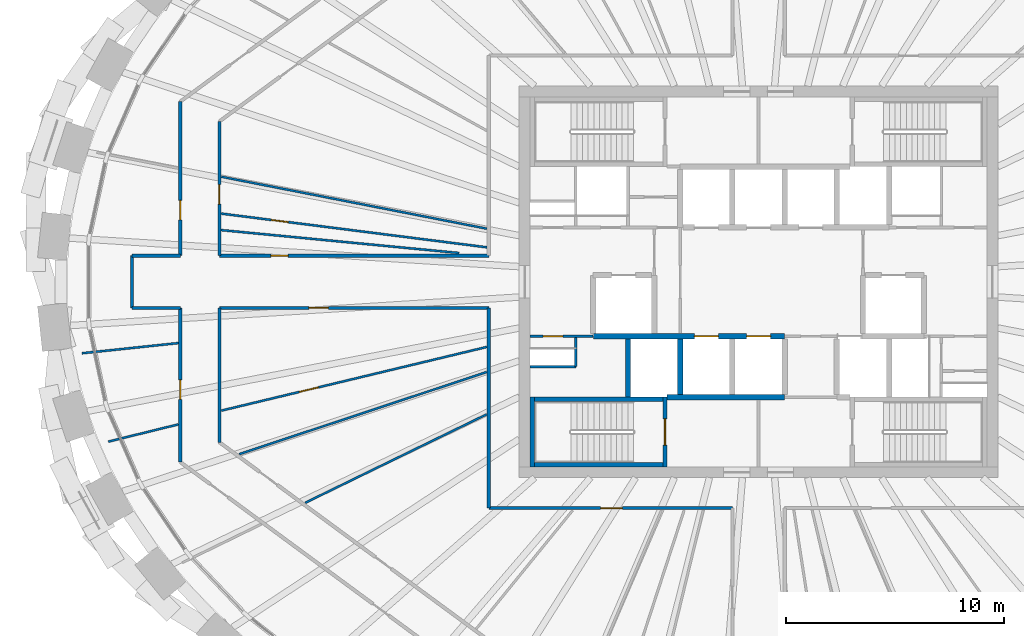
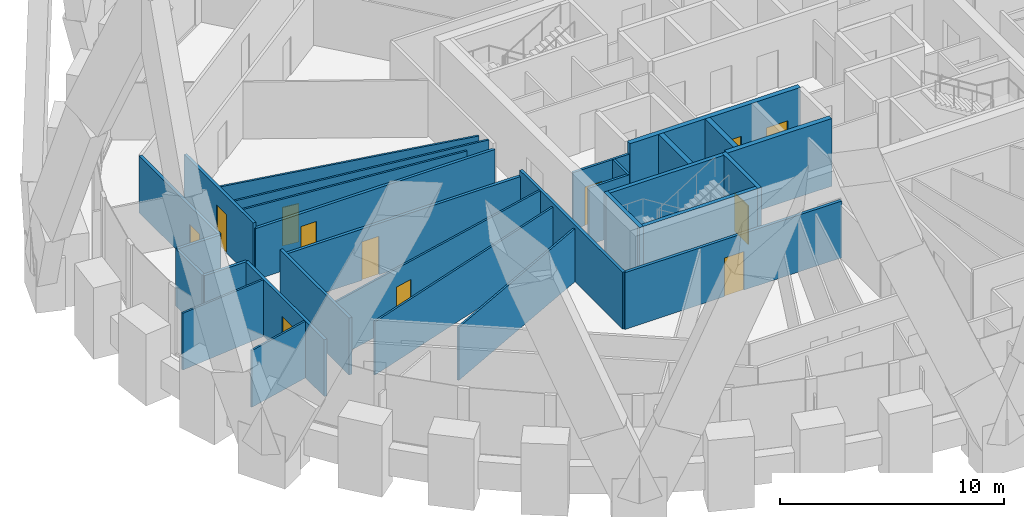
# One storey, part 8 of 15: 30 walls, 12 doors, 12 openings.
"""IFC4 building model written with IfcOpenShell, lengths in metres."""

from ifc_helpers import new_model, si_unit, direction, frame, frame_2d, origin, place, context, subcontext, project, spatial, rectangle, extrude, source, transform, mapped, material, layer, layer_set, type_object, element, fill, save


model = new_model("IFC4")

# Units and contexts
model_context = context("Model", 3, precision=1e-05, world=origin(), true_north=direction((0.0, 1.0)))
body_context = subcontext(model_context, "Body", "Model", "MODEL_VIEW")
ifc_project = project(units=[si_unit("LENGTHUNIT", "METRE"), si_unit("AREAUNIT", "SQUARE_METRE"), si_unit("VOLUMEUNIT", "CUBIC_METRE"), si_unit("PLANEANGLEUNIT", "RADIAN"), si_unit("MASSUNIT", "GRAM", prefix="KILO")], contexts=[model_context])

# Site, building, storey
site_placement = place(None, origin())
site = spatial("IfcSite", under=ifc_project, at=site_placement, CompositionType="ELEMENT")
building_placement = place(site_placement, origin())
building = spatial("IfcBuilding", under=site, at=building_placement, Name="Embergate Tower", CompositionType="ELEMENT")
storey_placement = place(building_placement, frame((0.0, 0.0, 277.300048828125)))
storey = spatial("IfcBuildingStorey", under=building, at=storey_placement, Name="L64", CompositionType="ELEMENT", Elevation=277.300048828125)

# Walls
ifc_material_1 = material(Name="Concrete C50", Category="concrete")
ifc_layer_1 = layer(ifc_material_1, 0.199951171875)
ifc_layer_set_1 = layer_set([ifc_layer_1], Name="Concrete C50")
wall_type_1 = type_object("IfcWallType", Name="Stair enclosure wall reinforced concrete 250", PredefinedType="SHEAR", material=ifc_layer_set_1)
shared_shape_1 = source(origin(), body_context, "Body", "SweptSolid", [
    extrude(rectangle(XDim=6.300048828125, YDim=0.199951171875, at=frame_2d((3.14990234375, 0.0))), origin(), (0.0, 0.0, 1.0), 3.699951171875),
])
wall_1_placement = place(storey_placement, frame((-10.5, -5.39990234375, 0.0), z_axis=(0.0, 0.0, 1.0), x_axis=(1.0, 0.0, 0.0)))
element("IfcWall", 1, at=wall_1_placement, inside=storey, type_object=wall_type_1, Name="SE-1 wall", PredefinedType="SHEAR", context=body_context, shape_type="MappedRepresentation", body=[
    mapped(shared_shape_1, transform((0.0, 0.0, 0.0))),
])
ifc_layer_2 = layer(ifc_material_1, 0.25)
ifc_layer_set_2 = layer_set([ifc_layer_2], Name="Concrete C50")
wall_type_2 = type_object("IfcWallType", Name="Hoistway wall reinforced concrete 250", PredefinedType="SHEAR", material=ifc_layer_set_2)
shared_shape_2 = source(origin(), body_context, "Body", "SweptSolid", [
    extrude(rectangle(XDim=2.550048828125, YDim=0.25, at=frame_2d((1.27490234375, 0.0))), origin(), (0.0, 0.0, 1.0), 3.699951171875),
])
wall_2_placement = place(storey_placement, frame((-3.60009765625, -5.175048828125, 0.0), z_axis=(0.0, 0.0, 1.0), x_axis=(0.0, 1.0, 0.0)))
element("IfcWall", 2, at=wall_2_placement, inside=storey, type_object=wall_type_2, Name="HW-1 wall", PredefinedType="SHEAR", context=body_context, shape_type="MappedRepresentation", body=[
    mapped(shared_shape_2, transform((0.0, 0.0, 0.0))),
])

# Wall, opening, door
shared_shape_3 = source(origin(), body_context, "Body", "SweptSolid", [
    extrude(rectangle(XDim=3.199951171875, YDim=0.199951171875, at=frame_2d((1.60009765625, 0.0))), origin(), (0.0, 0.0, 1.0), 3.699951171875),
])
wall_3_placement = place(storey_placement, frame((-4.300048828125, -8.5, 0.0), z_axis=(0.0, 0.0, 1.0), x_axis=(0.0, 1.0, 0.0)))
wall_3 = element("IfcWall", 3, at=wall_3_placement, inside=storey, type_object=wall_type_1, Name="SE-1 wall", PredefinedType="SHEAR", context=body_context, shape_type="MappedRepresentation", body=[
    mapped(shared_shape_3, transform((0.0, 0.0, 0.0))),
])
shared_shape_4 = source(origin(), body_context, "Body", "SweptSolid", [
    extrude(rectangle(XDim=1.199951171875, YDim=2.10009765625, at=frame_2d((0.60009765625, 1.050048828125))), frame((0.0, 0.10986328125, 0.0), z_axis=(0.0, -1.0, 0.0), x_axis=(1.0, 0.0, 0.0)), (0.0, 0.0, 1.0), 0.219970703125),
])
opening_1_placement = place(wall_3_placement, frame((1.0, 0.0, 0.0)))
opening_1 = element("IfcOpeningElement", 4, at=opening_1_placement, cuts=wall_3, Name="Opening IF-2", PredefinedType="OPENING", context=body_context, shape_type="MappedRepresentation", body=[
    mapped(shared_shape_4, transform((0.0, 0.0, 0.0))),
])
ifc_material_2 = material(Name="Stair enclosure door 1200")
door_type_1 = type_object("IfcDoorType", Name="Stair enclosure door 1200", OperationType="SINGLE_SWING_LEFT", PredefinedType="DOOR", material=ifc_material_2)
shared_shape_5 = source(origin(), body_context, "Body", "SweptSolid", [
    extrude(rectangle(XDim=1.199951171875, YDim=2.10009765625, at=frame_2d((0.60009765625, 1.050048828125))), frame((0.0, 0.02490234375, 0.0), z_axis=(0.0, -1.0, 0.0), x_axis=(1.0, 0.0, 0.0)), (0.0, 0.0, 1.0), 0.050048828125),
])
door_1_placement = place(opening_1_placement, origin())
door_1 = element("IfcDoor", 5, at=door_1_placement, inside=storey, type_object=door_type_1, Name="IF-2 door", OperationType="SINGLE_SWING_LEFT", OverallHeight=2.10009765625, OverallWidth=1.199951171875, PredefinedType="DOOR", context=body_context, shape_type="MappedRepresentation", body=[
    mapped(shared_shape_5, transform((0.0, 0.0, 0.0))),
])
fill(opening_1, door_1)

# Walls
wall_4_placement = place(storey_placement, frame((-10.39990234375, -5.300048828125, 0.0), z_axis=(0.0, 0.0, 1.0), x_axis=(0.0, -1.0, 0.0)))
element("IfcWall", 6, at=wall_4_placement, inside=storey, type_object=wall_type_1, Name="SE-1 wall", PredefinedType="SHEAR", context=body_context, shape_type="MappedRepresentation", body=[
    mapped(shared_shape_3, transform((0.0, 0.0, 0.0))),
])
shared_shape_6 = source(origin(), body_context, "Body", "SweptSolid", [
    extrude(rectangle(XDim=2.671142578125, YDim=0.25, at=frame_2d((1.33544921875, 0.0))), origin(), (0.0, 0.0, 1.0), 3.699951171875),
])
wall_5_placement = place(storey_placement, frame((-6.0, -2.626953125, 0.0), z_axis=(0.0, 0.0, 1.0), x_axis=(0.0, -1.0, 0.0)))
element("IfcWall", 7, at=wall_5_placement, inside=storey, type_object=wall_type_2, Name="HW-1 wall", PredefinedType="SHEAR", context=body_context, shape_type="MappedRepresentation", body=[
    mapped(shared_shape_6, transform((0.0, 0.0, 0.0))),
])
ifc_material_3 = material(Name="Corridor wall dry-lined 150")
ifc_layer_3 = layer(ifc_material_3, 0.14990234375)
ifc_layer_set_3 = layer_set([ifc_layer_3], Name="Corridor wall dry-lined 150")
wall_type_3 = type_object("IfcWallType", Name="Corridor wall dry-lined 150", PredefinedType="PARTITIONING", material=ifc_layer_set_3)
shared_shape_7 = source(origin(), body_context, "Body", "SweptSolid", [
    extrude(rectangle(XDim=2.39990234375, YDim=0.14990234375, at=frame_2d((1.199951171875, 0.0))), origin(), (0.0, 0.0, 1.0), 3.099853515625),
])
wall_6_placement = place(storey_placement, frame((-28.797119140625, -1.199951171875, 0.0), z_axis=(0.0, 0.0, 1.0), x_axis=(0.0, 1.0, 0.0)))
element("IfcWall", 8, at=wall_6_placement, inside=storey, type_object=wall_type_3, Name="IP-2 wall", PredefinedType="PARTITIONING", context=body_context, shape_type="MappedRepresentation", body=[
    mapped(shared_shape_7, transform((0.0, 0.0, 0.0))),
])
shared_shape_8 = source(origin(), body_context, "Body", "SweptSolid", [
    extrude(rectangle(XDim=9.199951171875, YDim=0.14990234375, at=frame_2d((4.60009765625, 0.0))), origin(), (0.0, 0.0, 1.0), 3.099853515625),
])
wall_7_placement = place(storey_placement, frame((-12.39990234375, -1.199951171875, 0.0), z_axis=(0.0, 0.0, 1.0), x_axis=(0.0, -1.0, 0.0)))
element("IfcWall", 9, at=wall_7_placement, inside=storey, type_object=wall_type_3, Name="IP-2 wall", PredefinedType="PARTITIONING", context=body_context, shape_type="MappedRepresentation", body=[
    mapped(shared_shape_8, transform((0.0, 0.0, 0.0))),
])

# Wall, opening, door
shared_shape_9 = source(origin(), body_context, "Body", "SweptSolid", [
    extrude(rectangle(XDim=11.199951171875, YDim=0.14990234375, at=frame_2d((5.60009765625, 0.0))), origin(), (0.0, 0.0, 1.0), 3.099853515625),
])
wall_8_placement = place(storey_placement, frame((-12.39990234375, -10.39990234375, 0.0), z_axis=(0.0, 0.0, 1.0), x_axis=(1.0, 0.0, 0.0)))
wall_8 = element("IfcWall", 10, at=wall_8_placement, inside=storey, type_object=wall_type_3, Name="IP-2 wall", PredefinedType="PARTITIONING", context=body_context, shape_type="MappedRepresentation", body=[
    mapped(shared_shape_9, transform((0.0, 0.0, 0.0))),
])
shared_shape_10 = source(origin(), body_context, "Body", "SweptSolid", [
    extrude(rectangle(XDim=1.0, YDim=2.10009765625, at=frame_2d((0.5, 1.050048828125))), frame((0.0, 0.0849609375, 0.0), z_axis=(0.0, -1.0, 0.0), x_axis=(1.0, 0.0, 0.0)), (0.0, 0.0, 1.0), 0.169921875),
])
opening_2_placement = place(wall_8_placement, frame((5.139892578125, 0.0, 0.0)))
opening_2 = element("IfcOpeningElement", 11, at=opening_2_placement, cuts=wall_8, Name="Opening ID-2", PredefinedType="OPENING", context=body_context, shape_type="MappedRepresentation", body=[
    mapped(shared_shape_10, transform((0.0, 0.0, 0.0))),
])
ifc_material_4 = material(Name="Interior door 1000")
door_type_2 = type_object("IfcDoorType", Name="Interior door 1000", OperationType="SINGLE_SWING_LEFT", PredefinedType="DOOR", material=ifc_material_4)
shared_shape_11 = source(origin(), body_context, "Body", "SweptSolid", [
    extrude(rectangle(XDim=1.0, YDim=2.10009765625, at=frame_2d((0.5, 1.050048828125))), frame((0.0, 0.02490234375, 0.0), z_axis=(0.0, -1.0, 0.0), x_axis=(1.0, 0.0, 0.0)), (0.0, 0.0, 1.0), 0.050048828125),
])
door_2_placement = place(opening_2_placement, origin())
door_2 = element("IfcDoor", 12, at=door_2_placement, inside=storey, type_object=door_type_2, Name="ID-2 door", OperationType="SINGLE_SWING_RIGHT", OverallHeight=2.10009765625, OverallWidth=1.0, PredefinedType="DOOR", context=body_context, shape_type="MappedRepresentation", body=[
    mapped(shared_shape_11, transform((0.0, 0.0, 0.0))),
])
fill(opening_2, door_2)

# Walls
shared_shape_12 = source(origin(), body_context, "Body", "SweptSolid", [
    extrude(rectangle(XDim=5.39990234375, YDim=0.25, at=frame_2d((2.699951171875, 0.0))), origin(), (0.0, 0.0, 1.0), 3.699951171875),
])
wall_9_placement = place(storey_placement, frame((-4.199951171875, -5.300048828125, 0.0), z_axis=(0.0, 0.0, 1.0), x_axis=(1.0, 0.0, 0.0)))
element("IfcWall", 13, at=wall_9_placement, inside=storey, type_object=wall_type_2, Name="HW-1 wall", PredefinedType="SHEAR", context=body_context, shape_type="MappedRepresentation", body=[
    mapped(shared_shape_12, transform((0.0, 0.0, 0.0))),
])
shared_shape_13 = source(origin(), body_context, "Body", "SweptSolid", [
    extrude(rectangle(XDim=6.298095703125, YDim=0.199951171875, at=frame_2d((3.14892578125, 0.0))), origin(), (0.0, 0.0, 1.0), 3.699951171875),
])
wall_10_placement = place(storey_placement, frame((-10.5, -8.39990234375, 0.0), z_axis=(0.0, 0.0, 1.0), x_axis=(1.0, 0.0, 0.0)))
element("IfcWall", 14, at=wall_10_placement, inside=storey, type_object=wall_type_1, Name="SE-1 wall", PredefinedType="SHEAR", context=body_context, shape_type="MappedRepresentation", body=[
    mapped(shared_shape_13, transform((0.0, 0.0, 0.0))),
])

# Wall, opening, door
shared_shape_14 = source(origin(), body_context, "Body", "SweptSolid", [
    extrude(rectangle(XDim=12.381103515625, YDim=0.14990234375, at=frame_2d((6.1904296875, 0.0))), origin(), (0.0, 0.0, 1.0), 2.800048828125),
])
wall_11_placement = place(storey_placement, frame((-12.39990234375, -1.199951171875, 0.0), z_axis=(0.0, 0.0, 1.0), x_axis=(-1.0, 0.0, 0.0)))
wall_11 = element("IfcWall", 15, at=wall_11_placement, inside=storey, type_object=wall_type_3, Name="IP-2 wall", PredefinedType="PARTITIONING", context=body_context, shape_type="MappedRepresentation", body=[
    mapped(shared_shape_14, transform((0.0, 0.0, 0.0))),
])
shared_shape_15 = source(origin(), body_context, "Body", "SweptSolid", [
    extrude(rectangle(XDim=0.89990234375, YDim=2.10009765625, at=frame_2d((0.449951171875, 1.050048828125))), frame((0.0, 0.0849609375, 0.0), z_axis=(0.0, -1.0, 0.0), x_axis=(1.0, 0.0, 0.0)), (0.0, 0.0, 1.0), 0.169921875),
])
opening_3_placement = place(wall_11_placement, frame((7.373046875, 0.0, 0.0)))
opening_3 = element("IfcOpeningElement", 16, at=opening_3_placement, cuts=wall_11, Name="Opening IF-1c", PredefinedType="OPENING", context=body_context, shape_type="MappedRepresentation", body=[
    mapped(shared_shape_15, transform((0.0, 0.0, 0.0))),
])
ifc_material_5 = material(Name="Escape fire door 900")
door_type_3 = type_object("IfcDoorType", Name="Escape fire door 900", OperationType="SINGLE_SWING_LEFT", PredefinedType="DOOR", material=ifc_material_5)
shared_shape_16 = source(origin(), body_context, "Body", "SweptSolid", [
    extrude(rectangle(XDim=0.89990234375, YDim=2.10009765625, at=frame_2d((0.449951171875, 1.050048828125))), frame((0.0, 0.02490234375, 0.0), z_axis=(0.0, -1.0, 0.0), x_axis=(1.0, 0.0, 0.0)), (0.0, 0.0, 1.0), 0.050048828125),
])
door_3_placement = place(opening_3_placement, origin())
door_3 = element("IfcDoor", 17, at=door_3_placement, inside=storey, type_object=door_type_3, Name="IF-1 door", OperationType="SINGLE_SWING_LEFT", OverallHeight=2.10009765625, OverallWidth=0.89990234375, PredefinedType="DOOR", context=body_context, shape_type="MappedRepresentation", body=[
    mapped(shared_shape_16, transform((0.0, 0.0, 0.0))),
])
fill(opening_3, door_3)

wall_12_placement = place(storey_placement, frame((-12.39990234375, 1.199951171875, 0.0), z_axis=(0.0, 0.0, 1.0), x_axis=(-1.0, 0.0, 0.0)))
wall_12 = element("IfcWall", 18, at=wall_12_placement, inside=storey, type_object=wall_type_3, Name="IP-2 wall", PredefinedType="PARTITIONING", context=body_context, shape_type="MappedRepresentation", body=[
    mapped(shared_shape_14, transform((0.0, 0.0, 0.0))),
])
shared_shape_17 = source(origin(), body_context, "Body", "SweptSolid", [
    extrude(rectangle(XDim=0.800048828125, YDim=2.10009765625, at=frame_2d((0.39990234375, 1.050048828125))), frame((0.0, 0.0849609375, 0.0), z_axis=(0.0, -1.0, 0.0), x_axis=(1.0, 0.0, 0.0)), (0.0, 0.0, 1.0), 0.169921875),
])
opening_4_placement = place(wall_12_placement, frame((9.218017578125, 0.0, 0.0)))
opening_4 = element("IfcOpeningElement", 19, at=opening_4_placement, cuts=wall_12, Name="Opening IF-1a", PredefinedType="OPENING", context=body_context, shape_type="MappedRepresentation", body=[
    mapped(shared_shape_17, transform((0.0, 0.0, 0.0))),
])
ifc_material_6 = material(Name="Escape fire door 800")
door_type_4 = type_object("IfcDoorType", Name="Escape fire door 800", OperationType="SINGLE_SWING_LEFT", PredefinedType="DOOR", material=ifc_material_6)
shared_shape_18 = source(origin(), body_context, "Body", "SweptSolid", [
    extrude(rectangle(XDim=0.800048828125, YDim=2.10009765625, at=frame_2d((0.39990234375, 1.050048828125))), frame((0.0, 0.02490234375, 0.0), z_axis=(0.0, -1.0, 0.0), x_axis=(1.0, 0.0, 0.0)), (0.0, 0.0, 1.0), 0.050048828125),
])
door_4_placement = place(opening_4_placement, origin())
door_4 = element("IfcDoor", 20, at=door_4_placement, inside=storey, type_object=door_type_4, Name="IF-1 door", OperationType="SINGLE_SWING_RIGHT", OverallHeight=2.10009765625, OverallWidth=0.800048828125, PredefinedType="DOOR", context=body_context, shape_type="MappedRepresentation", body=[
    mapped(shared_shape_18, transform((0.0, 0.0, 0.0))),
])
fill(opening_4, door_4)

# Walls
ifc_material_7 = material(Name="Partition dry-lined 100")
ifc_layer_4 = layer(ifc_material_7, 0.10009765625)
ifc_layer_set_4 = layer_set([ifc_layer_4], Name="Partition dry-lined 100")
wall_type_4 = type_object("IfcWallType", Name="Partition dry-lined 100", PredefinedType="PARTITIONING", material=ifc_layer_set_4)
shared_shape_19 = source(origin(), body_context, "Body", "SweptSolid", [
    extrude(rectangle(XDim=9.27783203125, YDim=0.10009765625, at=frame_2d((4.638916015625, 0.0))), origin(), (0.0, 0.0, 1.0), 2.89990234375),
])
wall_13_placement = place(storey_placement, frame((-12.4970703125, -6.091064453125, 0.0), z_axis=(0.0, 0.0, 1.0), x_axis=(-0.898907497404, -0.438138461118, 0.0)))
element("IfcWall", 21, at=wall_13_placement, inside=storey, type_object=wall_type_4, Name="IP-1 wall", PredefinedType="PARTITIONING", context=body_context, shape_type="MappedRepresentation", body=[
    mapped(shared_shape_19, transform((0.0, 0.0, 0.0))),
])
shared_shape_20 = source(origin(), body_context, "Body", "SweptSolid", [
    extrude(rectangle(XDim=12.443359375, YDim=0.10009765625, at=frame_2d((6.2216796875, 0.0))), origin(), (0.0, 0.0, 1.0), 2.800048828125),
])
wall_14_placement = place(storey_placement, frame((-12.485107421875, 2.44189453125, 0.0), z_axis=(0.0, 0.0, 1.0), x_axis=(-0.981394583772, 0.192001747237, 0.0)))
element("IfcWall", 22, at=wall_14_placement, inside=storey, type_object=wall_type_4, Name="IP-1 wall", PredefinedType="PARTITIONING", context=body_context, shape_type="MappedRepresentation", body=[
    mapped(shared_shape_20, transform((0.0, 0.0, 0.0))),
])

# Wall, openings, doors
shared_shape_21 = source(origin(), body_context, "Body", "SweptSolid", [
    extrude(rectangle(XDim=8.7978515625, YDim=0.25, at=frame_2d((4.39892578125, 0.0))), origin(), (0.0, 0.0, 1.0), 3.699951171875),
])
wall_15_placement = place(storey_placement, frame((1.199951171875, -2.5, 0.0), z_axis=(0.0, 0.0, 1.0), x_axis=(-1.0, 0.0, 0.0)))
wall_15 = element("IfcWall", 23, at=wall_15_placement, inside=storey, type_object=wall_type_2, Name="HW-1 wall", PredefinedType="SHEAR", context=body_context, shape_type="MappedRepresentation", body=[
    mapped(shared_shape_21, transform((0.0, 0.0, 0.0))),
])
shared_shape_22 = source(origin(), body_context, "Body", "SweptSolid", [
    extrude(rectangle(XDim=1.10009765625, YDim=2.10009765625, at=frame_2d((0.550048828125, 1.050048828125))), frame((0.0, 0.135009765625, 0.0), z_axis=(0.0, -1.0, 0.0), x_axis=(1.0, 0.0, 0.0)), (0.0, 0.0, 1.0), 0.27001953125),
])
opening_5_placement = place(wall_15_placement, frame((3.050048828125, 0.0, 0.0)))
opening_5 = element("IfcOpeningElement", 24, at=opening_5_placement, cuts=wall_15, Name="Opening LD", PredefinedType="OPENING", context=body_context, shape_type="MappedRepresentation", body=[
    mapped(shared_shape_22, transform((0.0, 0.0, 0.0))),
])
opening_6_placement = place(wall_15_placement, frame((0.64990234375, 0.0, 0.0)))
opening_6 = element("IfcOpeningElement", 25, at=opening_6_placement, cuts=wall_15, Name="Opening LD", PredefinedType="OPENING", context=body_context, shape_type="MappedRepresentation", body=[
    mapped(shared_shape_22, transform((0.0, 0.0, 0.0))),
])
ifc_material_8 = material(Name="Landing door sliding 1100")
door_type_5 = type_object("IfcDoorType", Name="Landing door sliding 1100", OperationType="SLIDING_TO_LEFT", PredefinedType="DOOR", material=ifc_material_8)
shared_shape_23 = source(origin(), body_context, "Body", "SweptSolid", [
    extrude(rectangle(XDim=1.10009765625, YDim=2.10009765625, at=frame_2d((0.550048828125, 1.050048828125))), frame((0.0, 0.02490234375, 0.0), z_axis=(0.0, -1.0, 0.0), x_axis=(1.0, 0.0, 0.0)), (0.0, 0.0, 1.0), 0.050048828125),
])
door_5_placement = place(opening_5_placement, origin())
door_5 = element("IfcDoor", 26, at=door_5_placement, inside=storey, type_object=door_type_5, Name="LD door", OperationType="SLIDING_TO_LEFT", OverallHeight=2.10009765625, OverallWidth=1.10009765625, PredefinedType="DOOR", context=body_context, shape_type="MappedRepresentation", body=[
    mapped(shared_shape_23, transform((0.0, 0.0, 0.0))),
])
fill(opening_5, door_5)
door_6_placement = place(opening_6_placement, origin())
door_6 = element("IfcDoor", 27, at=door_6_placement, inside=storey, type_object=door_type_5, Name="LD door", OperationType="SLIDING_TO_RIGHT", OverallHeight=2.10009765625, OverallWidth=1.10009765625, PredefinedType="DOOR", context=body_context, shape_type="MappedRepresentation", body=[
    mapped(shared_shape_23, transform((0.0, 0.0, 0.0))),
])
fill(opening_6, door_6)

# Wall, opening, door
shared_shape_24 = source(origin(), body_context, "Body", "SweptSolid", [
    extrude(rectangle(XDim=7.083984375, YDim=0.14990234375, at=frame_2d((3.5419921875, 0.0))), origin(), (0.0, 0.0, 1.0), 3.099853515625),
])
wall_16_placement = place(storey_placement, frame((-26.5810546875, 8.283935546875, 0.0), z_axis=(0.0, 0.0, 1.0), x_axis=(0.0, -1.0, 0.0)))
wall_16 = element("IfcWall", 28, at=wall_16_placement, inside=storey, type_object=wall_type_3, Name="IP-2 wall", PredefinedType="PARTITIONING", context=body_context, shape_type="MappedRepresentation", body=[
    mapped(shared_shape_24, transform((0.0, 0.0, 0.0))),
])
opening_7_placement = place(wall_16_placement, frame((4.534423828125, 0.0, 0.0)))
opening_7 = element("IfcOpeningElement", 29, at=opening_7_placement, cuts=wall_16, Name="Opening IF-1c", PredefinedType="OPENING", context=body_context, shape_type="MappedRepresentation", body=[
    mapped(shared_shape_15, transform((0.0, 0.0, 0.0))),
])
door_7_placement = place(opening_7_placement, origin())
door_7 = element("IfcDoor", 30, at=door_7_placement, inside=storey, type_object=door_type_3, Name="IF-1 door", OperationType="SINGLE_SWING_RIGHT", OverallHeight=2.10009765625, OverallWidth=0.89990234375, PredefinedType="DOOR", context=body_context, shape_type="MappedRepresentation", body=[
    mapped(shared_shape_16, transform((0.0, 0.0, 0.0))),
])
fill(opening_7, door_7)

wall_17_placement = place(storey_placement, frame((-26.5810546875, -8.283935546875, 0.0), z_axis=(0.0, 0.0, 1.0), x_axis=(0.0, 1.0, 0.0)))
wall_17 = element("IfcWall", 31, at=wall_17_placement, inside=storey, type_object=wall_type_3, Name="IP-2 wall", PredefinedType="PARTITIONING", context=body_context, shape_type="MappedRepresentation", body=[
    mapped(shared_shape_24, transform((0.0, 0.0, 0.0))),
])
opening_8_placement = place(wall_17_placement, frame((2.87744140625, 0.0, 0.0)))
opening_8 = element("IfcOpeningElement", 32, at=opening_8_placement, cuts=wall_17, Name="Opening IF-1c", PredefinedType="OPENING", context=body_context, shape_type="MappedRepresentation", body=[
    mapped(shared_shape_15, transform((0.0, 0.0, 0.0))),
])
door_8_placement = place(opening_8_placement, origin())
door_8 = element("IfcDoor", 33, at=door_8_placement, inside=storey, type_object=door_type_3, Name="IF-1 door", OperationType="SINGLE_SWING_RIGHT", OverallHeight=2.10009765625, OverallWidth=0.89990234375, PredefinedType="DOOR", context=body_context, shape_type="MappedRepresentation", body=[
    mapped(shared_shape_16, transform((0.0, 0.0, 0.0))),
])
fill(opening_8, door_8)

# Walls
shared_shape_25 = source(origin(), body_context, "Body", "SweptSolid", [
    extrude(rectangle(XDim=2.216064453125, YDim=0.14990234375, at=frame_2d((1.10791015625, 0.0))), origin(), (0.0, 0.0, 1.0), 3.099853515625),
])
for number, where, z_axis, x_axis, name in (
    (34, (-26.5810546875, -1.199951171875, 0.0), (0.0, 0.0, 1.0), (-1.0, 0.0, 0.0), "IP-2 wall"),
    (35, (-28.797119140625, 1.199951171875, 0.0), (0.0, 0.0, 1.0), (1.0, 0.0, 0.0), "IP-2 wall"),
):
    element("IfcWall", number, at=place(storey_placement, frame(where, z_axis=z_axis, x_axis=x_axis)), inside=storey, type_object=wall_type_3, Name=name, PredefinedType="PARTITIONING", context=body_context, shape_type="MappedRepresentation", body=[
        mapped(shared_shape_25, transform((0.0, 0.0, 0.0))),
    ])

# Wall, opening, door
shared_shape_26 = source(origin(), body_context, "Body", "SweptSolid", [
    extrude(rectangle(XDim=6.174072265625, YDim=0.14990234375, at=frame_2d((3.0869140625, 0.0))), origin(), (0.0, 0.0, 1.0), 3.099853515625),
])
wall_18_placement = place(storey_placement, frame((-24.781005859375, 1.199951171875, 0.0), z_axis=(0.0, 0.0, 1.0), x_axis=(0.0, 1.0, 0.0)))
wall_18 = element("IfcWall", 36, at=wall_18_placement, inside=storey, type_object=wall_type_3, Name="IP-2 wall", PredefinedType="PARTITIONING", context=body_context, shape_type="MappedRepresentation", body=[
    mapped(shared_shape_26, transform((0.0, 0.0, 0.0))),
])
opening_9_placement = place(wall_18_placement, frame((2.3740234375, 0.0, 0.0)))
opening_9 = element("IfcOpeningElement", 37, at=opening_9_placement, cuts=wall_18, Name="Opening IF-1c", PredefinedType="OPENING", context=body_context, shape_type="MappedRepresentation", body=[
    mapped(shared_shape_15, transform((0.0, 0.0, 0.0))),
])
door_9_placement = place(opening_9_placement, origin())
door_9 = element("IfcDoor", 38, at=door_9_placement, inside=storey, type_object=door_type_3, Name="IF-1 door", OperationType="SINGLE_SWING_LEFT", OverallHeight=2.10009765625, OverallWidth=0.89990234375, PredefinedType="DOOR", context=body_context, shape_type="MappedRepresentation", body=[
    mapped(shared_shape_16, transform((0.0, 0.0, 0.0))),
])
fill(opening_9, door_9)

# Walls
wall_19_placement = place(storey_placement, frame((-24.781005859375, -1.199951171875, 0.0), z_axis=(0.0, 0.0, 1.0), x_axis=(0.0, -1.0, 0.0)))
element("IfcWall", 39, at=wall_19_placement, inside=storey, type_object=wall_type_3, Name="IP-2 wall", PredefinedType="PARTITIONING", context=body_context, shape_type="MappedRepresentation", body=[
    mapped(shared_shape_26, transform((0.0, 0.0, 0.0))),
])
shared_shape_27 = source(origin(), body_context, "Body", "SweptSolid", [
    extrude(rectangle(XDim=4.4658203125, YDim=0.10009765625, at=frame_2d((2.23291015625, 0.0))), origin(), (0.0, 0.0, 1.0), 3.099853515625),
])
wall_20_placement = place(storey_placement, frame((-26.660888671875, -2.81396484375, 0.0), z_axis=(0.0, 0.0, 1.0), x_axis=(-0.994470349589, -0.105017730832, 0.0)))
element("IfcWall", 40, at=wall_20_placement, inside=storey, type_object=wall_type_4, Name="IP-1 wall", PredefinedType="PARTITIONING", context=body_context, shape_type="MappedRepresentation", body=[
    mapped(shared_shape_27, transform((0.0, 0.0, 0.0))),
])
shared_shape_28 = source(origin(), body_context, "Body", "SweptSolid", [
    extrude(rectangle(XDim=3.31689453125, YDim=0.10009765625, at=frame_2d((1.658447265625, 0.0))), origin(), (0.0, 0.0, 1.0), 3.099853515625),
])
wall_21_placement = place(storey_placement, frame((-26.66796875, -6.552001953125, 0.0), z_axis=(0.0, 0.0, 1.0), x_axis=(-0.971074770792, -0.238775604976, 0.0)))
element("IfcWall", 41, at=wall_21_placement, inside=storey, type_object=wall_type_4, Name="IP-1 wall", PredefinedType="PARTITIONING", context=body_context, shape_type="MappedRepresentation", body=[
    mapped(shared_shape_28, transform((0.0, 0.0, 0.0))),
])

# Wall, opening, door
shared_shape_29 = source(origin(), body_context, "Body", "SweptSolid", [
    extrude(rectangle(XDim=12.552978515625, YDim=0.10009765625, at=frame_2d((6.2763671875, 0.0))), origin(), (0.0, 0.0, 1.0), 3.099853515625),
])
wall_22_placement = place(storey_placement, frame((-12.487060546875, -2.992919921875, 0.0), z_axis=(0.0, 0.0, 1.0), x_axis=(-0.972435829174, -0.233170663119, 0.0)))
wall_22 = element("IfcWall", 42, at=wall_22_placement, inside=storey, type_object=wall_type_4, Name="IP-1 wall", PredefinedType="PARTITIONING", context=body_context, shape_type="MappedRepresentation", body=[
    mapped(shared_shape_29, transform((0.0, 0.0, 0.0))),
])
shared_shape_30 = source(origin(), body_context, "Body", "SweptSolid", [
    extrude(rectangle(XDim=0.89990234375, YDim=2.10009765625, at=frame_2d((0.449951171875, 1.050048828125))), frame((0.0, 0.06005859375, 0.0), z_axis=(0.0, -1.0, 0.0), x_axis=(1.0, 0.0, 0.0)), (0.0, 0.0, 1.0), 0.1201171875),
])
opening_10_placement = place(wall_22_placement, frame((7.9609375, 0.0, 0.0)))
opening_10 = element("IfcOpeningElement", 43, at=opening_10_placement, cuts=wall_22, Name="Opening ID-1", PredefinedType="OPENING", context=body_context, shape_type="MappedRepresentation", body=[
    mapped(shared_shape_30, transform((0.0, 0.0, 0.0))),
])
ifc_material_9 = material(Name="Interior door 900")
door_type_6 = type_object("IfcDoorType", Name="Interior door 900", OperationType="SINGLE_SWING_LEFT", PredefinedType="DOOR", material=ifc_material_9)
door_10_placement = place(opening_10_placement, origin())
door_10 = element("IfcDoor", 44, at=door_10_placement, inside=storey, type_object=door_type_6, Name="ID-1 door", OperationType="SINGLE_SWING_LEFT", OverallHeight=2.10009765625, OverallWidth=0.89990234375, PredefinedType="DOOR", context=body_context, shape_type="MappedRepresentation", body=[
    mapped(shared_shape_16, transform((0.0, 0.0, 0.0))),
])
fill(opening_10, door_10)

# Wall
shared_shape_31 = source(origin(), body_context, "Body", "SweptSolid", [
    extrude(rectangle(XDim=11.985595703125, YDim=0.10009765625, at=frame_2d((5.99267578125, 0.0))), origin(), (0.0, 0.0, 1.0), 2.89990234375),
])
wall_23_placement = place(storey_placement, frame((-12.490966796875, -4.14404296875, 0.0), z_axis=(0.0, 0.0, 1.0), x_axis=(-0.949134529704, -0.314870837844, 0.0)))
element("IfcWall", 45, at=wall_23_placement, inside=storey, type_object=wall_type_4, Name="IP-1 wall", PredefinedType="PARTITIONING", context=body_context, shape_type="MappedRepresentation", body=[
    mapped(shared_shape_31, transform((0.0, 0.0, 0.0))),
])

# Wall, opening, door
shared_shape_32 = source(origin(), body_context, "Body", "SweptSolid", [
    extrude(rectangle(XDim=12.317138671875, YDim=0.10009765625, at=frame_2d((6.15869140625, 0.0))), origin(), (0.0, 0.0, 1.0), 3.099853515625),
])
wall_24_placement = place(storey_placement, frame((-12.48095703125, 1.5859375, 0.0), z_axis=(0.0, 0.0, 1.0), x_axis=(-0.992029836268, 0.126003190257, 0.0)))
wall_24 = element("IfcWall", 46, at=wall_24_placement, inside=storey, type_object=wall_type_4, Name="IP-1 wall", PredefinedType="PARTITIONING", context=body_context, shape_type="MappedRepresentation", body=[
    mapped(shared_shape_32, transform((0.0, 0.0, 0.0))),
])
shared_shape_33 = source(origin(), body_context, "Body", "SweptSolid", [
    extrude(rectangle(XDim=0.800048828125, YDim=2.10009765625, at=frame_2d((0.39990234375, 1.050048828125))), frame((0.0, 0.06005859375, 0.0), z_axis=(0.0, -1.0, 0.0), x_axis=(1.0, 0.0, 0.0)), (0.0, 0.0, 1.0), 0.1201171875),
])
opening_11_placement = place(wall_24_placement, frame((9.202392578125, 0.0, 0.0)))
opening_11 = element("IfcOpeningElement", 47, at=opening_11_placement, cuts=wall_24, Name="Opening ID-1a", PredefinedType="OPENING", context=body_context, shape_type="MappedRepresentation", body=[
    mapped(shared_shape_33, transform((0.0, 0.0, 0.0))),
])
ifc_material_10 = material(Name="Interior door 800")
door_type_7 = type_object("IfcDoorType", Name="Interior door 800", OperationType="SINGLE_SWING_LEFT", PredefinedType="DOOR", material=ifc_material_10)
door_11_placement = place(opening_11_placement, origin())
door_11 = element("IfcDoor", 48, at=door_11_placement, inside=storey, type_object=door_type_7, Name="ID-1 door", OperationType="SINGLE_SWING_RIGHT", OverallHeight=2.10009765625, OverallWidth=0.800048828125, PredefinedType="DOOR", context=body_context, shape_type="MappedRepresentation", body=[
    mapped(shared_shape_18, transform((0.0, 0.0, 0.0))),
])
fill(opening_11, door_11)

# Wall
shared_shape_34 = source(origin(), body_context, "Body", "SweptSolid", [
    extrude(rectangle(XDim=10.99755859375, YDim=0.10009765625, at=frame_2d((5.498779296875, 0.0))), origin(), (0.0, 0.0, 1.0), 3.099853515625),
])
wall_25_placement = place(storey_placement, frame((-13.759033203125, 1.324951171875, 0.0), z_axis=(0.0, 0.0, 1.0), x_axis=(-0.995397267075, 0.095834652913, 0.0)))
element("IfcWall", 49, at=wall_25_placement, inside=storey, type_object=wall_type_4, Name="IP-1 wall", PredefinedType="PARTITIONING", context=body_context, shape_type="MappedRepresentation", body=[
    mapped(shared_shape_34, transform((0.0, 0.0, 0.0))),
])

# Wall, opening, door
ifc_material_11 = material(Name="Core partition blockwork 120")
ifc_layer_5 = layer(ifc_material_11, 0.1201171875)
ifc_layer_set_5 = layer_set([ifc_layer_5], Name="Core partition blockwork 120")
wall_type_5 = type_object("IfcWallType", Name="Core partition blockwork 120", PredefinedType="PARTITIONING", material=ifc_layer_set_5)
shared_shape_35 = source(origin(), body_context, "Body", "SweptSolid", [
    extrude(rectangle(XDim=2.89794921875, YDim=0.1201171875, at=frame_2d((1.448974609375, 0.0))), origin(), (0.0, 0.0, 1.0), 3.099853515625),
])
wall_26_placement = place(storey_placement, frame((-10.5, -2.5, 0.0), z_axis=(0.0, 0.0, 1.0), x_axis=(1.0, 0.0, 0.0)))
wall_26 = element("IfcWall", 50, at=wall_26_placement, inside=storey, type_object=wall_type_5, Name="IP-3 wall", PredefinedType="PARTITIONING", context=body_context, shape_type="MappedRepresentation", body=[
    mapped(shared_shape_35, transform((0.0, 0.0, 0.0))),
])
shared_shape_36 = source(origin(), body_context, "Body", "SweptSolid", [
    extrude(rectangle(XDim=0.89990234375, YDim=2.10009765625, at=frame_2d((0.449951171875, 1.050048828125))), frame((0.0, 0.070068359375, 0.0), z_axis=(0.0, -1.0, 0.0), x_axis=(1.0, 0.0, 0.0)), (0.0, 0.0, 1.0), 0.14013671875),
])
opening_12_placement = place(wall_26_placement, frame((0.60009765625, 0.0, 0.0)))
opening_12 = element("IfcOpeningElement", 51, at=opening_12_placement, cuts=wall_26, Name="Opening ID-1", PredefinedType="OPENING", context=body_context, shape_type="MappedRepresentation", body=[
    mapped(shared_shape_36, transform((0.0, 0.0, 0.0))),
])
door_12_placement = place(opening_12_placement, origin())
door_12 = element("IfcDoor", 52, at=door_12_placement, inside=storey, type_object=door_type_6, Name="ID-1 door", OperationType="SINGLE_SWING_LEFT", OverallHeight=2.10009765625, OverallWidth=0.89990234375, PredefinedType="DOOR", context=body_context, shape_type="MappedRepresentation", body=[
    mapped(shared_shape_16, transform((0.0, 0.0, 0.0))),
])
fill(opening_12, door_12)

# Walls
shared_shape_37 = source(origin(), body_context, "Body", "SweptSolid", [
    extrude(rectangle(XDim=2.10009765625, YDim=0.1201171875, at=frame_2d((1.050048828125, 0.0))), origin(), (0.0, 0.0, 1.0), 3.099853515625),
])
wall_27_placement = place(storey_placement, frame((-10.5, -3.89990234375, 0.0), z_axis=(0.0, 0.0, 1.0), x_axis=(1.0, 0.0, 0.0)))
element("IfcWall", 53, at=wall_27_placement, inside=storey, type_object=wall_type_5, Name="IP-3 wall", PredefinedType="PARTITIONING", context=body_context, shape_type="MappedRepresentation", body=[
    mapped(shared_shape_37, transform((0.0, 0.0, 0.0))),
])
shared_shape_38 = source(origin(), body_context, "Body", "SweptSolid", [
    extrude(rectangle(XDim=1.337890625, YDim=0.1201171875, at=frame_2d((0.6689453125, 0.0))), origin(), (0.0, 0.0, 1.0), 3.099853515625),
])
wall_28_placement = place(storey_placement, frame((-8.39990234375, -3.89990234375, 0.0), z_axis=(0.0, 0.0, 1.0), x_axis=(0.0, 1.0, 0.0)))
element("IfcWall", 54, at=wall_28_placement, inside=storey, type_object=wall_type_5, Name="IP-3 wall", PredefinedType="PARTITIONING", context=body_context, shape_type="MappedRepresentation", body=[
    mapped(shared_shape_38, transform((0.0, 0.0, 0.0))),
])

save(model, "model.ifc")
